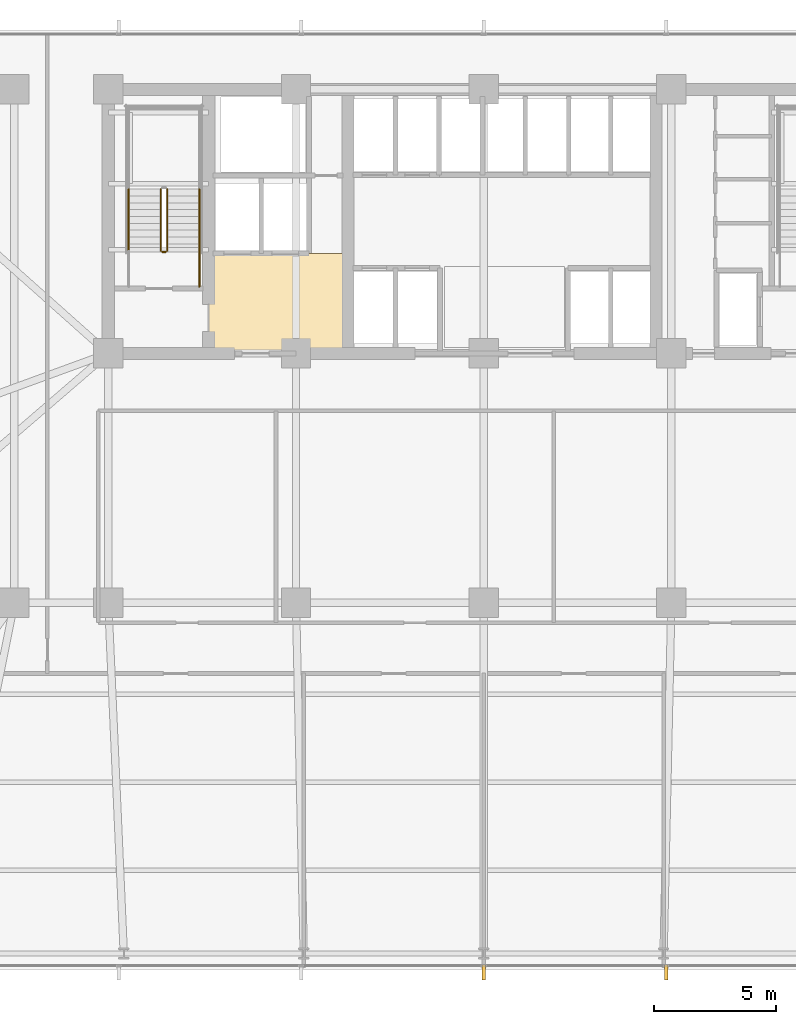
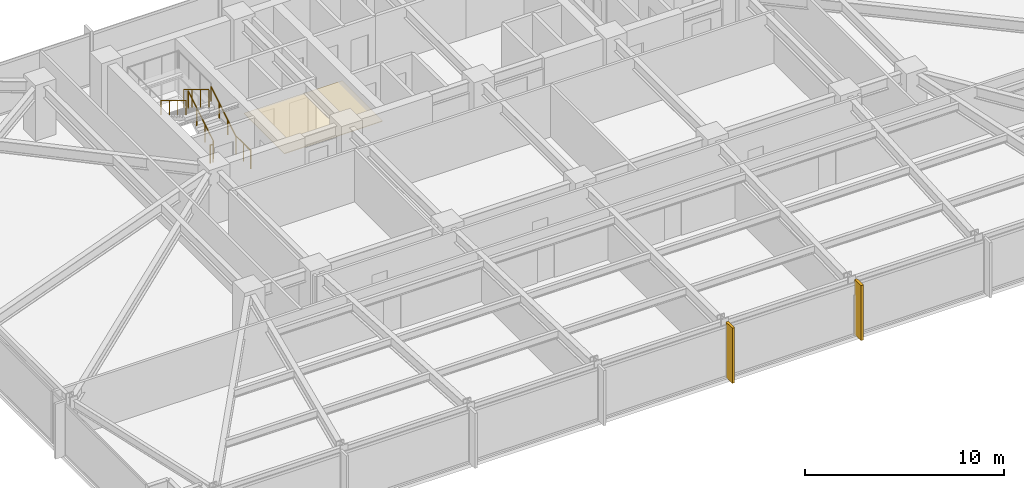
# One storey, part 28 of 33: 6 railings, 2 shading devices, 1 covering.
"""IFC4 building model written with IfcOpenShell, lengths in metres."""

from ifc_helpers import new_model, si_unit, direction, frame, origin, origin_2d, place, context, subcontext, project, spatial, polyline, rectangle, circle, outline, extrude, material, layer, layer_set, type_object, element, save


model = new_model("IFC4")

# Units and contexts
model_context = context("Model", 3, precision=1e-05, world=origin(), true_north=direction((0.0, 1.0)))
body_context = subcontext(model_context, "Body", "Model", "MODEL_VIEW")
ifc_project = project(units=[si_unit("LENGTHUNIT", "METRE"), si_unit("AREAUNIT", "SQUARE_METRE"), si_unit("VOLUMEUNIT", "CUBIC_METRE"), si_unit("PLANEANGLEUNIT", "RADIAN"), si_unit("MASSUNIT", "GRAM", prefix="KILO")], contexts=[model_context])

# Site, building, storey
site_placement = place(None, origin())
site = spatial("IfcSite", under=ifc_project, at=site_placement, CompositionType="ELEMENT")
building_placement = place(site_placement, origin())
building = spatial("IfcBuilding", under=site, at=building_placement, Name="Yelkora Congress Tower", CompositionType="ELEMENT")
storey_placement = place(building_placement, frame((0.0, 0.0, 47.39990234375)))
storey = spatial("IfcBuildingStorey", under=building, at=storey_placement, Name="L11", CompositionType="ELEMENT", Elevation=47.39990234375)

# Covering
ifc_material_1 = material(Name="Perforated mineral-fibre acoustic ceiling", Category="gypsum")
ifc_layer_1 = layer(ifc_material_1, 0.0400390625)
ifc_layer_set_1 = layer_set([ifc_layer_1], Name="Perforated mineral-fibre acoustic ceiling")
covering_type = type_object("IfcCoveringType", Name="COV-CEIL-ACOUSTIC-40", PredefinedType="CEILING", material=ifc_layer_set_1)
covering_placement = place(storey_placement, frame((0.0, 0.0, 2.400146484375)))
element("IfcCovering", 1, at=covering_placement, inside=storey, type_object=covering_type, Name="L11 Firefighting Lobby Acoustic Ceiling", PredefinedType="CEILING", context=body_context, shape_type="SweptSolid", body=[
    extrude(outline(polyline([(27.14990234375, 35.39990234375), (32.85009765625, 35.39990234375), (32.85009765625, 39.47998046875), (27.14990234375, 39.47998046875), (27.14990234375, 35.39990234375)])), origin(), (0.0, 0.0, 1.0), 0.0400390625),
])

# Railings
ifc_material_2 = material(Name="Painted galvanised steel stair well guard with vertical infill", Category="steel")
ifc_layer_2 = layer(ifc_material_2, 0.06005859375)
ifc_layer_set_2 = layer_set([ifc_layer_2], Name="Painted galvanised steel stair well guard with vertical infill")
railing_type_1 = type_object("IfcRailingType", Name="RAIL-STAIR-GUARD-1120", PredefinedType="GUARDRAIL", material=ifc_layer_set_2)
railing_1_placement = place(storey_placement, frame((25.449951171875, 39.60009765625, 0.170166015625)))
element("IfcRailing", 2, at=railing_1_placement, inside=storey, type_object=railing_type_1, Name="ST-01 L11 Stair Well Guardrail 1", PredefinedType="GUARDRAIL", context=body_context, shape_type="SweptSolid", body=[
    extrude(circle(Radius=0.02392578125, at=origin_2d()), frame((0.0, 0.0, 1.09619140625), z_axis=(0.0, 0.85478489116, 0.518982456201), x_axis=(-1.0, 0.0, 0.0)), (0.0, 0.0, 1.0), 2.9482421875),
    extrude(circle(Radius=0.02099609375, at=origin_2d()), origin(), (0.0, 0.0, 1.0), 1.072021484375),
    extrude(circle(Radius=0.02099609375, at=origin_2d()), frame((0.0, 0.840087890625, 0.510009765625)), (0.0, 0.0, 1.0), 1.072021484375),
    extrude(circle(Radius=0.02099609375, at=origin_2d()), frame((0.0, 1.679931640625, 1.02001953125)), (0.0, 0.0, 1.0), 1.072021484375),
    extrude(circle(Radius=0.02099609375, at=origin_2d()), frame((0.0, 2.52001953125, 1.530029296875)), (0.0, 0.0, 1.0), 1.072021484375),
])
railing_2_placement = place(storey_placement, frame((25.18994140625, 42.1201171875, 1.8701171875)))
element("IfcRailing", 3, at=railing_2_placement, inside=storey, type_object=railing_type_1, Name="ST-01 L11 Stair Well Guardrail 6", PredefinedType="GUARDRAIL", context=body_context, shape_type="SweptSolid", body=[
    extrude(circle(Radius=0.02392578125, at=origin_2d()), frame((0.0, 0.0, 1.09619140625), z_axis=(0.0, -0.85478489116, 0.518982456201), x_axis=(1.0, 0.0, 0.0)), (0.0, 0.0, 1.0), 2.9482421875),
    extrude(circle(Radius=0.02099609375, at=origin_2d()), origin(), (0.0, 0.0, 1.0), 1.072021484375),
    extrude(circle(Radius=0.02099609375, at=origin_2d()), frame((0.0, -0.840087890625, 0.510009765625)), (0.0, 0.0, 1.0), 1.072021484375),
    extrude(circle(Radius=0.02099609375, at=origin_2d()), frame((0.0, -1.679931640625, 1.02001953125)), (0.0, 0.0, 1.0), 1.072021484375),
    extrude(circle(Radius=0.02099609375, at=origin_2d()), frame((0.0, -2.52001953125, 1.530029296875)), (0.0, 0.0, 1.0), 1.072021484375),
])
railing_3_placement = place(storey_placement, frame((25.39990234375, 39.550048828125, 0.0)))
element("IfcRailing", 4, at=railing_3_placement, inside=storey, type_object=railing_type_1, Name="ST-01 L11 Stair Well Guardrail 7", PredefinedType="GUARDRAIL", context=body_context, shape_type="SweptSolid", body=[
    extrude(circle(Radius=0.02392578125, at=origin_2d()), frame((0.0, 0.0, 1.09619140625), z_axis=(-1.0, 0.0, 0.0), x_axis=(0.0, -1.0, 0.0)), (0.0, 0.0, 1.0), 0.159912109375),
    extrude(circle(Radius=0.02099609375, at=origin_2d()), origin(), (0.0, 0.0, 1.0), 1.072021484375),
    extrude(circle(Radius=0.02099609375, at=origin_2d()), frame((-0.159912109375, 0.0, 0.0)), (0.0, 0.0, 1.0), 1.072021484375),
])
railing_4_placement = place(storey_placement, frame((26.77001953125, 38.1201171875, 0.0)))
element("IfcRailing", 5, at=railing_4_placement, inside=storey, type_object=railing_type_1, Name="ST-01 L11 Stair Well Guardrail 8", PredefinedType="GUARDRAIL", context=body_context, shape_type="SweptSolid", body=[
    extrude(circle(Radius=0.02392578125, at=origin_2d()), frame((0.0, 0.0, 1.09619140625), z_axis=(0.0, 1.0, 0.0), x_axis=(-1.0, 0.0, 0.0)), (0.0, 0.0, 1.0), 1.47998046875),
    extrude(circle(Radius=0.02099609375, at=origin_2d()), origin(), (0.0, 0.0, 1.0), 1.072021484375),
    extrude(circle(Radius=0.02099609375, at=origin_2d()), frame((0.0, 0.739990234375, 0.0)), (0.0, 0.0, 1.0), 1.072021484375),
    extrude(circle(Radius=0.02099609375, at=origin_2d()), frame((0.0, 1.47998046875, 0.0)), (0.0, 0.0, 1.0), 1.072021484375),
])
ifc_material_3 = material(Name="Brushed stainless steel tubular handrail", Category="steel")
ifc_layer_3 = layer(ifc_material_3, 0.050048828125)
ifc_layer_set_3 = layer_set([ifc_layer_3], Name="Brushed stainless steel tubular handrail")
railing_type_2 = type_object("IfcRailingType", Name="RAIL-STAIR-HAND-920", PredefinedType="HANDRAIL", material=ifc_layer_set_3)
railing_5_placement = place(storey_placement, frame((26.77001953125, 39.60009765625, 0.170166015625)))
element("IfcRailing", 6, at=railing_5_placement, inside=storey, type_object=railing_type_2, Name="ST-01 L11 Pitch Handrail 1", PredefinedType="HANDRAIL", context=body_context, shape_type="SweptSolid", body=[
    extrude(circle(Radius=0.02392578125, at=origin_2d()), frame((0.0, 0.0, 0.89599609375), z_axis=(0.0, 0.85478489116, 0.518982456201), x_axis=(-1.0, 0.0, 0.0)), (0.0, 0.0, 1.0), 2.9482421875),
    extrude(circle(Radius=0.02099609375, at=origin_2d()), origin(), (0.0, 0.0, 1.0), 0.871826171875),
    extrude(circle(Radius=0.02099609375, at=origin_2d()), frame((0.0, 0.840087890625, 0.510009765625)), (0.0, 0.0, 1.0), 0.871826171875),
    extrude(circle(Radius=0.02099609375, at=origin_2d()), frame((0.0, 1.679931640625, 1.02001953125)), (0.0, 0.0, 1.0), 0.871826171875),
    extrude(circle(Radius=0.02099609375, at=origin_2d()), frame((0.0, 2.52001953125, 1.530029296875)), (0.0, 0.0, 1.0), 0.871826171875),
])
railing_6_placement = place(storey_placement, frame((23.8701171875, 42.1201171875, 1.8701171875)))
element("IfcRailing", 7, at=railing_6_placement, inside=storey, type_object=railing_type_2, Name="ST-01 L11 Pitch Handrail 2", PredefinedType="HANDRAIL", context=body_context, shape_type="SweptSolid", body=[
    extrude(circle(Radius=0.02392578125, at=origin_2d()), frame((0.0, 0.0, 0.89599609375), z_axis=(0.0, -0.85478489116, 0.518982456201), x_axis=(1.0, 0.0, 0.0)), (0.0, 0.0, 1.0), 2.9482421875),
    extrude(circle(Radius=0.02099609375, at=origin_2d()), origin(), (0.0, 0.0, 1.0), 0.871826171875),
    extrude(circle(Radius=0.02099609375, at=origin_2d()), frame((0.0, -0.840087890625, 0.510009765625)), (0.0, 0.0, 1.0), 0.871826171875),
    extrude(circle(Radius=0.02099609375, at=origin_2d()), frame((0.0, -1.679931640625, 1.02001953125)), (0.0, 0.0, 1.0), 0.871826171875),
    extrude(circle(Radius=0.02099609375, at=origin_2d()), frame((0.0, -2.52001953125, 1.530029296875)), (0.0, 0.0, 1.0), 0.871826171875),
])

# Shading devices
ifc_material_4 = material(Name="Champagne anodised aluminium", Category="aluminium")
ifc_layer_4 = layer(ifc_material_4, 3.39990234375)
ifc_layer_set_4 = layer_set([ifc_layer_4], Name="Champagne anodised aluminium")
shading_device_type = type_object("IfcShadingDeviceType", Name="SHD-FIN-ALU-640", PredefinedType="USERDEFINED", material=ifc_layer_set_4)
for number, where, z_axis, x_axis, name in (
    (8, (45.864990234375, 10.080078125, -0.02978515625), (0.0, 0.0, 1.0), (-1.0, 0.0, 0.0), "L11 Vertical Anodised Solar Fin 20-3"),
    (9, (38.39990234375, 10.080078125, -0.02978515625), (0.0, 0.0, 1.0), (-1.0, 0.0, 0.0), "L11 Vertical Anodised Solar Fin 20-4"),
):
    element("IfcShadingDevice", number, at=place(storey_placement, frame(where, z_axis=z_axis, x_axis=x_axis)), inside=storey, type_object=shading_device_type, Name=name, ObjectType="FIN", PredefinedType="USERDEFINED", context=body_context, shape_type="SweptSolid", body=[
        extrude(rectangle(XDim=0.139892578125, YDim=0.639892578125, at=origin_2d()), origin(), (0.0, 0.0, 1.0), 3.3798828125),
    ])

save(model, "model.ifc")
